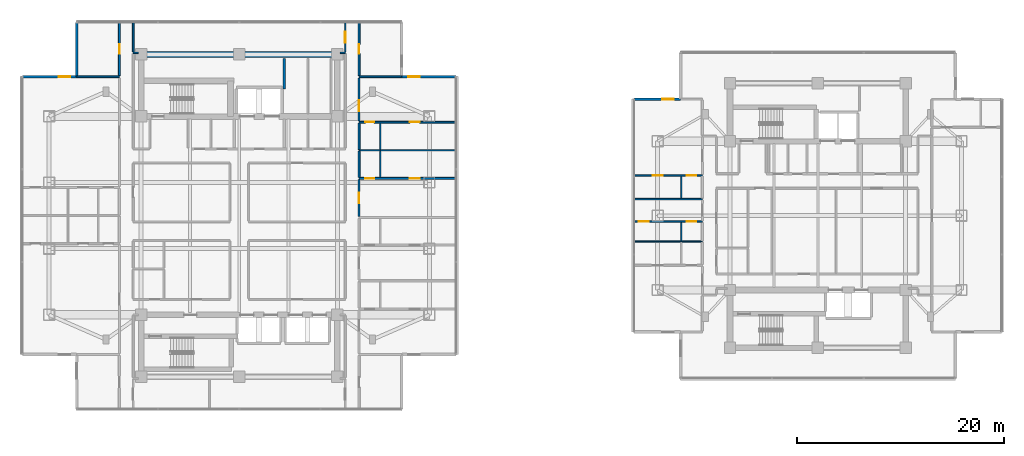
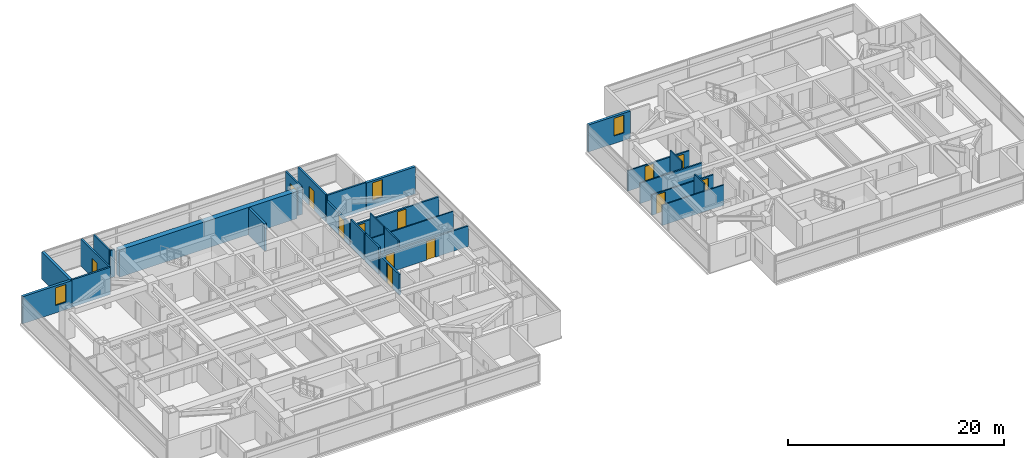
# One storey, part 16 of 25: 29 walls, 13 doors, 3 windows, 16 openings.
"""IFC4 building model written with IfcOpenShell, lengths in metres."""

from ifc_helpers import new_model, si_unit, direction, frame, frame_2d, origin, place, context, subcontext, project, spatial, rectangle, extrude, material, layer, layer_set, type_object, element, fill, save


model = new_model("IFC4")

# Units and contexts
model_context = context("Model", 3, precision=1e-05, world=origin(), true_north=direction((0.0, 1.0)))
body_context = subcontext(model_context, "Body", "Model", "MODEL_VIEW")
ifc_project = project(units=[si_unit("LENGTHUNIT", "METRE"), si_unit("AREAUNIT", "SQUARE_METRE"), si_unit("VOLUMEUNIT", "CUBIC_METRE"), si_unit("PLANEANGLEUNIT", "RADIAN"), si_unit("MASSUNIT", "GRAM", prefix="KILO")], contexts=[model_context])

# Site, building, storey
site_placement = place(None, origin())
site = spatial("IfcSite", under=ifc_project, at=site_placement, CompositionType="ELEMENT")
building_placement = place(site_placement, origin())
building = spatial("IfcBuilding", under=site, at=building_placement, Name="Mirazonda Arch Towers", CompositionType="ELEMENT")
storey_placement = place(building_placement, frame((0.0, 0.0, 131.300048828125)))
storey = spatial("IfcBuildingStorey", under=building, at=storey_placement, Name="L37", CompositionType="ELEMENT", Elevation=131.300048828125)

# Wall
ifc_material_1 = material(Name="Concrete C50/60", Category="concrete")
ifc_layer_1 = layer(ifc_material_1, 0.550048828125, Name="WALL-CORE-550")
ifc_layer_set_1 = layer_set([ifc_layer_1], Name="Concrete C50/60")
wall_type_1 = type_object("IfcWallType", Name="WALL-CORE-550", PredefinedType="SHEAR", material=ifc_layer_set_1)
wall_1_placement = place(storey_placement, frame((11.0, 43.60009765625, 0.0), z_axis=(0.0, 0.0, 1.0), x_axis=(1.0, 0.0, 0.0)))
element("IfcWall", 1, at=wall_1_placement, inside=storey, type_object=wall_type_1, Name="L37 T1N-N Core Shear Wall", PredefinedType="SHEAR", context=body_context, shape_type="SweptSolid", body=[
    extrude(rectangle(XDim=19.0, YDim=0.550048828125, at=frame_2d((9.5, 0.0))), origin(), (0.0, 0.0, 1.0), 3.079833984375),
])

# Wall, opening, window
ifc_material_2 = material(Name="Precast Concrete C40/50", Category="concrete")
ifc_layer_2 = layer(ifc_material_2, 0.280029296875, Name="WALL-EXT-WALL-280")
ifc_layer_set_2 = layer_set([ifc_layer_2], Name="Precast Concrete C40/50")
wall_type_2 = type_object("IfcWallType", Name="WALL-EXT-WALL-280", PredefinedType="SOLIDWALL", material=ifc_layer_set_2)
wall_2_placement = place(storey_placement, frame((4.77001953125, 41.44189453125, 0.0), z_axis=(0.0, 0.0, 1.0), x_axis=(-1.0, 0.0, 0.0)))
wall_2 = element("IfcWall", 2, at=wall_2_placement, inside=storey, type_object=wall_type_2, Name="L37 T1 Corner Notch Return Wall WL-L37-T1-CNW1", PredefinedType="SOLIDWALL", context=body_context, shape_type="SweptSolid", body=[
    extrude(rectangle(XDim=5.27001953125, YDim=0.280029296875, at=frame_2d((2.635009765625, 0.0))), origin(), (0.0, 0.0, 1.0), 3.06005859375),
])
opening_1_placement = place(wall_2_placement, frame((0.64990234375, 0.0, 0.85009765625)))
opening_1 = element("IfcOpeningElement", 3, at=opening_1_placement, cuts=wall_2, Name="Opening WN-108", PredefinedType="OPENING", context=body_context, shape_type="SweptSolid", body=[
    extrude(rectangle(XDim=1.10009765625, YDim=2.0, at=frame_2d((0.550048828125, 1.0))), frame((0.0, 0.14990234375, 0.0), z_axis=(0.0, -1.0, 0.0), x_axis=(1.0, 0.0, 0.0)), (0.0, 0.0, 1.0), 0.300048828125),
])
ifc_material_3 = material(Name="Insulated Low-E Solar Glass", Category="glass")
window_type = type_object("IfcWindowType", Name="WIN-NOTCH-1100x2000", PartitioningType="SINGLE_PANEL", PredefinedType="WINDOW", material=ifc_material_3)
window_1_placement = place(opening_1_placement, origin())
window_1 = element("IfcWindow", 4, at=window_1_placement, inside=storey, type_object=window_type, Name="L37 Punched Facade Window WN-L37-T1-CNW1", OverallHeight=2.0, OverallWidth=1.10009765625, PartitioningType="SINGLE_PANEL", PredefinedType="WINDOW", context=body_context, shape_type="SweptSolid", body=[
    extrude(rectangle(XDim=1.10009765625, YDim=2.0, at=frame_2d((0.550048828125, 1.0))), frame((0.0, 0.030029296875, 0.0), z_axis=(0.0, -1.0, 0.0), x_axis=(1.0, 0.0, 0.0)), (0.0, 0.0, 1.0), 0.06005859375),
])
fill(opening_1, window_1)

# Wall
wall_3_placement = place(storey_placement, frame((4.77001953125, 46.7119140625, 0.0), z_axis=(0.0, 0.0, 1.0), x_axis=(0.0, -1.0, 0.0)))
element("IfcWall", 5, at=wall_3_placement, inside=storey, type_object=wall_type_2, Name="L37 T1 Corner Notch Return Wall WL-L37-T1-CNW2", PredefinedType="SOLIDWALL", context=body_context, shape_type="SweptSolid", body=[
    extrude(rectangle(XDim=5.27001953125, YDim=0.280029296875, at=frame_2d((2.635009765625, 0.0))), origin(), (0.0, 0.0, 1.0), 3.06005859375),
])

# Wall, opening, window
wall_4_placement = place(storey_placement, frame((41.5, 41.44189453125, 0.0), z_axis=(0.0, 0.0, 1.0), x_axis=(-1.0, 0.0, 0.0)))
wall_4 = element("IfcWall", 6, at=wall_4_placement, inside=storey, type_object=wall_type_2, Name="L37 T1 Corner Notch Return Wall WL-L37-T1-CNE2", PredefinedType="SOLIDWALL", context=body_context, shape_type="SweptSolid", body=[
    extrude(rectangle(XDim=5.27001953125, YDim=0.280029296875, at=frame_2d((2.635009765625, 0.0))), origin(), (0.0, 0.0, 1.0), 3.06005859375),
])
opening_2_placement = place(wall_4_placement, frame((3.52001953125, 0.0, 0.85009765625)))
opening_2 = element("IfcOpeningElement", 7, at=opening_2_placement, cuts=wall_4, Name="Opening WN-108", PredefinedType="OPENING", context=body_context, shape_type="SweptSolid", body=[
    extrude(rectangle(XDim=1.10009765625, YDim=2.0, at=frame_2d((0.550048828125, 1.0))), frame((0.0, 0.14990234375, 0.0), z_axis=(0.0, -1.0, 0.0), x_axis=(1.0, 0.0, 0.0)), (0.0, 0.0, 1.0), 0.300048828125),
])
window_2_placement = place(opening_2_placement, origin())
window_2 = element("IfcWindow", 8, at=window_2_placement, inside=storey, type_object=window_type, Name="L37 Punched Facade Window WN-L37-T1-CNE2", OverallHeight=2.0, OverallWidth=1.10009765625, PartitioningType="SINGLE_PANEL", PredefinedType="WINDOW", context=body_context, shape_type="SweptSolid", body=[
    extrude(rectangle(XDim=1.10009765625, YDim=2.0, at=frame_2d((0.550048828125, 1.0))), frame((0.0, 0.030029296875, 0.0), z_axis=(0.0, -1.0, 0.0), x_axis=(1.0, 0.0, 0.0)), (0.0, 0.0, 1.0), 0.06005859375),
])
fill(opening_2, window_2)

wall_5_placement = place(storey_placement, frame((63.189453125, 39.265625, 0.0), z_axis=(0.0, 0.0, 1.0), x_axis=(-1.0, 0.0, 0.0)))
wall_5 = element("IfcWall", 9, at=wall_5_placement, inside=storey, type_object=wall_type_2, Name="L37 T2 Corner Notch Return Wall WL-L37-T2-CNW1", PredefinedType="SOLIDWALL", context=body_context, shape_type="SweptSolid", body=[
    extrude(rectangle(XDim=4.486572265625, YDim=0.280029296875, at=frame_2d((2.2431640625, 0.0))), origin(), (0.0, 0.0, 1.0), 3.06005859375),
])
opening_3_placement = place(wall_5_placement, frame((0.64990234375, 0.0, 0.85009765625)))
opening_3 = element("IfcOpeningElement", 10, at=opening_3_placement, cuts=wall_5, Name="Opening WN-108", PredefinedType="OPENING", context=body_context, shape_type="SweptSolid", body=[
    extrude(rectangle(XDim=1.10009765625, YDim=2.0, at=frame_2d((0.550048828125, 1.0))), frame((0.0, 0.14990234375, 0.0), z_axis=(0.0, -1.0, 0.0), x_axis=(1.0, 0.0, 0.0)), (0.0, 0.0, 1.0), 0.300048828125),
])
window_3_placement = place(opening_3_placement, origin())
window_3 = element("IfcWindow", 11, at=window_3_placement, inside=storey, type_object=window_type, Name="L37 Punched Facade Window WN-L37-T2-CNW1", OverallHeight=2.0, OverallWidth=1.10009765625, PartitioningType="SINGLE_PANEL", PredefinedType="WINDOW", context=body_context, shape_type="SweptSolid", body=[
    extrude(rectangle(XDim=1.10009765625, YDim=2.0, at=frame_2d((0.550048828125, 1.0))), frame((0.0, 0.030029296875, 0.0), z_axis=(0.0, -1.0, 0.0), x_axis=(1.0, 0.0, 0.0)), (0.0, 0.0, 1.0), 0.06005859375),
])
fill(opening_3, window_3)

# Wall
ifc_material_4 = material(Name="Concrete C40/50", Category="concrete")
ifc_layer_3 = layer(ifc_material_4, 0.219970703125, Name="WALL-FFL-220")
ifc_layer_set_3 = layer_set([ifc_layer_3], Name="Concrete C40/50")
wall_type_3 = type_object("IfcWallType", Name="WALL-FFL-220", PredefinedType="SOLIDWALL", material=ifc_layer_set_3)
wall_6_placement = place(storey_placement, frame((24.85009765625, 40.260009765625, 0.0), z_axis=(0.0, 0.0, 1.0), x_axis=(0.0, 1.0, 0.0)))
element("IfcWall", 12, at=wall_6_placement, inside=storey, type_object=wall_type_3, Name="L37 Interior Partition 098", PredefinedType="SOLIDWALL", context=body_context, shape_type="SweptSolid", body=[
    extrude(rectangle(XDim=2.93994140625, YDim=0.219970703125, at=frame_2d((1.469970703125, 0.0))), origin(), (0.0, 0.0, 1.0), 3.079833984375),
])

# Wall, openings, doors
ifc_material_5 = material(Name="Fire-Rated Gypsum Stud Partition")
ifc_layer_4 = layer(ifc_material_5, 0.14990234375, Name="WALL-PART-CORR-150")
ifc_layer_set_4 = layer_set([ifc_layer_4], Name="Fire-Rated Gypsum Stud Partition")
wall_type_4 = type_object("IfcWallType", Name="WALL-PART-CORR-150", PredefinedType="PARTITIONING", material=ifc_layer_set_4)
wall_7_placement = place(storey_placement, frame((58.702880859375, 27.412109375, 0.0), z_axis=(0.0, 0.0, 1.0), x_axis=(1.0, 0.0, 0.0)))
wall_7 = element("IfcWall", 13, at=wall_7_placement, inside=storey, type_object=wall_type_4, Name="L37 Interior Partition 034", PredefinedType="PARTITIONING", context=body_context, shape_type="SweptSolid", body=[
    extrude(rectangle(XDim=6.6171875, YDim=0.14990234375, at=frame_2d((3.30859375, 0.0))), origin(), (0.0, 0.0, 1.0), 2.299072265625),
])
opening_4_placement = place(wall_7_placement, frame((0.4833984375, 0.0, 0.0)))
opening_4 = element("IfcOpeningElement", 14, at=opening_4_placement, cuts=wall_7, Name="Opening DR-104", PredefinedType="OPENING", context=body_context, shape_type="SweptSolid", body=[
    extrude(rectangle(XDim=0.949951171875, YDim=2.14990234375, at=frame_2d((0.47509765625, 1.074951171875))), frame((0.0, 0.0849609375, 0.0), z_axis=(0.0, -1.0, 0.0), x_axis=(1.0, 0.0, 0.0)), (0.0, 0.0, 1.0), 0.169921875),
])
opening_5_placement = place(wall_7_placement, frame((5.126953125, 0.0, 0.0)))
opening_5 = element("IfcOpeningElement", 15, at=opening_5_placement, cuts=wall_7, Name="Opening DR-120", PredefinedType="OPENING", context=body_context, shape_type="SweptSolid", body=[
    extrude(rectangle(XDim=0.89990234375, YDim=2.10009765625, at=frame_2d((0.449951171875, 1.050048828125))), frame((0.0, 0.0849609375, 0.0), z_axis=(0.0, -1.0, 0.0), x_axis=(1.0, 0.0, 0.0)), (0.0, 0.0, 1.0), 0.169921875),
])
ifc_material_6 = material(Name="Architectural Brushed Steel S355", Category="steel")
door_type_1 = type_object("IfcDoorType", Name="DOOR-ROOM-950", OperationType="NOTDEFINED", PredefinedType="DOOR", material=ifc_material_6)
door_1_placement = place(opening_4_placement, origin())
door_1 = element("IfcDoor", 16, at=door_1_placement, inside=storey, type_object=door_type_1, Name="L37 Guestroom Study 2 Door", OperationType="SINGLE_SWING_RIGHT", OverallHeight=2.14990234375, OverallWidth=0.949951171875, PredefinedType="DOOR", context=body_context, shape_type="SweptSolid", body=[
    extrude(rectangle(XDim=0.949951171875, YDim=2.14990234375, at=frame_2d((0.47509765625, 1.074951171875))), frame((0.0, 0.02490234375, 0.0), z_axis=(0.0, -1.0, 0.0), x_axis=(1.0, 0.0, 0.0)), (0.0, 0.0, 1.0), 0.050048828125),
])
fill(opening_4, door_1)
door_type_2 = type_object("IfcDoorType", Name="DOOR-WC-900", OperationType="NOTDEFINED", PredefinedType="DOOR", material=ifc_material_6)
door_2_placement = place(opening_5_placement, origin())
door_2 = element("IfcDoor", 17, at=door_2_placement, inside=storey, type_object=door_type_2, Name="L37 En-Suite Bathroom 2 Door", OperationType="SINGLE_SWING_LEFT", OverallHeight=2.10009765625, OverallWidth=0.89990234375, PredefinedType="DOOR", context=body_context, shape_type="SweptSolid", body=[
    extrude(rectangle(XDim=0.89990234375, YDim=2.10009765625, at=frame_2d((0.449951171875, 1.050048828125))), frame((0.0, 0.02490234375, 0.0), z_axis=(0.0, -1.0, 0.0), x_axis=(1.0, 0.0, 0.0)), (0.0, 0.0, 1.0), 0.050048828125),
])
fill(opening_5, door_2)

# Wall
wall_8_placement = place(storey_placement, frame((58.702880859375, 29.595947265625, 0.0), z_axis=(0.0, 0.0, 1.0), x_axis=(1.0, 0.0, 0.0)))
element("IfcWall", 18, at=wall_8_placement, inside=storey, type_object=wall_type_4, Name="L37 Interior Partition 037", PredefinedType="PARTITIONING", context=body_context, shape_type="SweptSolid", body=[
    extrude(rectangle(XDim=6.6171875, YDim=0.14990234375, at=frame_2d((3.30859375, 0.0))), origin(), (0.0, 0.0, 1.0), 2.299072265625),
])

# Wall, openings, doors
wall_9_placement = place(storey_placement, frame((58.702880859375, 31.89599609375, 0.0), z_axis=(0.0, 0.0, 1.0), x_axis=(1.0, 0.0, 0.0)))
wall_9 = element("IfcWall", 19, at=wall_9_placement, inside=storey, type_object=wall_type_4, Name="L37 Interior Partition 041", PredefinedType="PARTITIONING", context=body_context, shape_type="SweptSolid", body=[
    extrude(rectangle(XDim=6.6171875, YDim=0.14990234375, at=frame_2d((3.30859375, 0.0))), origin(), (0.0, 0.0, 1.0), 2.299072265625),
])
opening_6_placement = place(wall_9_placement, frame((1.83349609375, 0.0, 0.0)))
opening_6 = element("IfcOpeningElement", 20, at=opening_6_placement, cuts=wall_9, Name="Opening DR-104", PredefinedType="OPENING", context=body_context, shape_type="SweptSolid", body=[
    extrude(rectangle(XDim=0.949951171875, YDim=2.14990234375, at=frame_2d((0.47509765625, 1.074951171875))), frame((0.0, 0.0849609375, 0.0), z_axis=(0.0, -1.0, 0.0), x_axis=(1.0, 0.0, 0.0)), (0.0, 0.0, 1.0), 0.169921875),
])
opening_7_placement = place(wall_9_placement, frame((5.126953125, 0.0, 0.0)))
opening_7 = element("IfcOpeningElement", 21, at=opening_7_placement, cuts=wall_9, Name="Opening DR-120", PredefinedType="OPENING", context=body_context, shape_type="SweptSolid", body=[
    extrude(rectangle(XDim=0.89990234375, YDim=2.10009765625, at=frame_2d((0.449951171875, 1.050048828125))), frame((0.0, 0.0849609375, 0.0), z_axis=(0.0, -1.0, 0.0), x_axis=(1.0, 0.0, 0.0)), (0.0, 0.0, 1.0), 0.169921875),
])
door_3_placement = place(opening_6_placement, origin())
door_3 = element("IfcDoor", 22, at=door_3_placement, inside=storey, type_object=door_type_1, Name="L37 Guestroom Study 3 Door", OperationType="SINGLE_SWING_LEFT", OverallHeight=2.14990234375, OverallWidth=0.949951171875, PredefinedType="DOOR", context=body_context, shape_type="SweptSolid", body=[
    extrude(rectangle(XDim=0.949951171875, YDim=2.14990234375, at=frame_2d((0.47509765625, 1.074951171875))), frame((0.0, 0.02490234375, 0.0), z_axis=(0.0, -1.0, 0.0), x_axis=(1.0, 0.0, 0.0)), (0.0, 0.0, 1.0), 0.050048828125),
])
fill(opening_6, door_3)
door_4_placement = place(opening_7_placement, origin())
door_4 = element("IfcDoor", 23, at=door_4_placement, inside=storey, type_object=door_type_2, Name="L37 En-Suite Bathroom 3 Door", OperationType="SINGLE_SWING_RIGHT", OverallHeight=2.10009765625, OverallWidth=0.89990234375, PredefinedType="DOOR", context=body_context, shape_type="SweptSolid", body=[
    extrude(rectangle(XDim=0.89990234375, YDim=2.10009765625, at=frame_2d((0.449951171875, 1.050048828125))), frame((0.0, 0.02490234375, 0.0), z_axis=(0.0, -1.0, 0.0), x_axis=(1.0, 0.0, 0.0)), (0.0, 0.0, 1.0), 0.050048828125),
])
fill(opening_7, door_4)

# Walls
for number, where, z_axis, x_axis, name in (
    (24, (10.239990234375, 43.75, 0.0), (0.0, 0.0, 1.0), (1.0, 0.0, 0.0), "L37 Interior Partition 060"),
    (25, (30.27001953125, 43.75, 0.0), (0.0, 0.0, 1.0), (1.0, 0.0, 0.0), "L37 Interior Partition 061"),
):
    element("IfcWall", number, at=place(storey_placement, frame(where, z_axis=z_axis, x_axis=x_axis)), inside=storey, type_object=wall_type_4, Name=name, PredefinedType="PARTITIONING", context=body_context, shape_type="SweptSolid", body=[
        extrude(rectangle(XDim=0.489990234375, YDim=0.14990234375, at=frame_2d((0.2451171875, 0.0))), origin(), (0.0, 0.0, 1.0), 3.079833984375),
    ])
wall_10_placement = place(storey_placement, frame((10.239990234375, 43.8349609375, 0.0), z_axis=(0.0, 0.0, 1.0), x_axis=(0.0, 1.0, 0.0)))
element("IfcWall", 26, at=wall_10_placement, inside=storey, type_object=wall_type_4, Name="L37 Interior Partition 078", PredefinedType="PARTITIONING", context=body_context, shape_type="SweptSolid", body=[
    extrude(rectangle(XDim=2.876953125, YDim=0.14990234375, at=frame_2d((1.4384765625, 0.0))), origin(), (0.0, 0.0, 1.0), 3.079833984375),
])

# Wall, opening, door
wall_11_placement = place(storey_placement, frame((30.760009765625, 43.8349609375, 0.0), z_axis=(0.0, 0.0, 1.0), x_axis=(0.0, 1.0, 0.0)))
wall_11 = element("IfcWall", 27, at=wall_11_placement, inside=storey, type_object=wall_type_4, Name="L37 Interior Partition 109", PredefinedType="PARTITIONING", context=body_context, shape_type="SweptSolid", body=[
    extrude(rectangle(XDim=2.876953125, YDim=0.14990234375, at=frame_2d((1.4384765625, 0.0))), origin(), (0.0, 0.0, 1.0), 3.079833984375),
])
opening_8_placement = place(wall_11_placement, frame((0.91357421875, 0.0, 0.0)))
opening_8 = element("IfcOpeningElement", 28, at=opening_8_placement, cuts=wall_11, Name="Opening DR-121", PredefinedType="OPENING", context=body_context, shape_type="SweptSolid", body=[
    extrude(rectangle(XDim=1.050048828125, YDim=2.199951171875, at=frame_2d((0.52490234375, 1.10009765625))), frame((0.0, 0.0849609375, 0.0), z_axis=(0.0, -1.0, 0.0), x_axis=(1.0, 0.0, 0.0)), (0.0, 0.0, 1.0), 0.169921875),
])
door_type_3 = type_object("IfcDoorType", Name="DOOR-SUITE-FD60-1050", OperationType="NOTDEFINED", PredefinedType="DOOR", material=ifc_material_6)
door_5_placement = place(opening_8_placement, origin())
door_5 = element("IfcDoor", 29, at=door_5_placement, inside=storey, type_object=door_type_3, Name="L37 North Bay Sunroom Suite Door", OperationType="SINGLE_SWING_RIGHT", OverallHeight=2.199951171875, OverallWidth=1.050048828125, PredefinedType="DOOR", context=body_context, shape_type="SweptSolid", body=[
    extrude(rectangle(XDim=1.050048828125, YDim=2.199951171875, at=frame_2d((0.52490234375, 1.10009765625))), frame((0.0, 0.02490234375, 0.0), z_axis=(0.0, -1.0, 0.0), x_axis=(1.0, 0.0, 0.0)), (0.0, 0.0, 1.0), 0.050048828125),
])
fill(opening_8, door_5)

# Wall, openings, doors
ifc_material_7 = material(Name="Fire-Rated Gypsum Twin-Stud Assembly")
ifc_layer_5 = layer(ifc_material_7, 0.179931640625, Name="WALL-PART-DEMISE-180")
ifc_layer_set_5 = layer_set([ifc_layer_5], Name="Fire-Rated Gypsum Twin-Stud Assembly")
wall_type_5 = type_object("IfcWallType", Name="WALL-PART-DEMISE-180", PredefinedType="PARTITIONING", material=ifc_layer_set_5)
wall_12_placement = place(storey_placement, frame((32.10009765625, 31.59912109375, 0.0), z_axis=(0.0, 0.0, 1.0), x_axis=(1.0, 0.0, 0.0)))
wall_12 = element("IfcWall", 30, at=wall_12_placement, inside=storey, type_object=wall_type_5, Name="L37 Interior Partition 040", PredefinedType="PARTITIONING", context=body_context, shape_type="SweptSolid", body=[
    extrude(rectangle(XDim=9.39990234375, YDim=0.179931640625, at=frame_2d((4.699951171875, 0.0))), origin(), (0.0, 0.0, 1.0), 2.299072265625),
])
opening_9_placement = place(wall_12_placement, frame((4.925048828125, 0.0, 0.0)))
opening_9 = element("IfcOpeningElement", 31, at=opening_9_placement, cuts=wall_12, Name="Opening DR-104", PredefinedType="OPENING", context=body_context, shape_type="SweptSolid", body=[
    extrude(rectangle(XDim=0.949951171875, YDim=2.14990234375, at=frame_2d((0.47509765625, 1.074951171875))), frame((0.0, 0.099853515625, 0.0), z_axis=(0.0, -1.0, 0.0), x_axis=(1.0, 0.0, 0.0)), (0.0, 0.0, 1.0), 0.199951171875),
])
opening_10_placement = place(wall_12_placement, frame((0.590087890625, 0.0, 0.0)))
opening_10 = element("IfcOpeningElement", 32, at=opening_10_placement, cuts=wall_12, Name="Opening DR-120", PredefinedType="OPENING", context=body_context, shape_type="SweptSolid", body=[
    extrude(rectangle(XDim=0.89990234375, YDim=2.10009765625, at=frame_2d((0.449951171875, 1.050048828125))), frame((0.0, 0.099853515625, 0.0), z_axis=(0.0, -1.0, 0.0), x_axis=(1.0, 0.0, 0.0)), (0.0, 0.0, 1.0), 0.199951171875),
])
door_6_placement = place(opening_9_placement, origin())
door_6 = element("IfcDoor", 33, at=door_6_placement, inside=storey, type_object=door_type_1, Name="L37 Studio 3 Galley Kitchen Door", OperationType="SINGLE_SWING_LEFT", OverallHeight=2.14990234375, OverallWidth=0.949951171875, PredefinedType="DOOR", context=body_context, shape_type="SweptSolid", body=[
    extrude(rectangle(XDim=0.949951171875, YDim=2.14990234375, at=frame_2d((0.47509765625, 1.074951171875))), frame((0.0, 0.02490234375, 0.0), z_axis=(0.0, -1.0, 0.0), x_axis=(1.0, 0.0, 0.0)), (0.0, 0.0, 1.0), 0.050048828125),
])
fill(opening_9, door_6)
door_7_placement = place(opening_10_placement, origin())
door_7 = element("IfcDoor", 34, at=door_7_placement, inside=storey, type_object=door_type_2, Name="L37 Studio 3 Bathroom Door", OperationType="SINGLE_SWING_RIGHT", OverallHeight=2.10009765625, OverallWidth=0.89990234375, PredefinedType="DOOR", context=body_context, shape_type="SweptSolid", body=[
    extrude(rectangle(XDim=0.89990234375, YDim=2.10009765625, at=frame_2d((0.449951171875, 1.050048828125))), frame((0.0, 0.02490234375, 0.0), z_axis=(0.0, -1.0, 0.0), x_axis=(1.0, 0.0, 0.0)), (0.0, 0.0, 1.0), 0.050048828125),
])
fill(opening_10, door_7)

wall_13_placement = place(storey_placement, frame((32.10009765625, 37.0390625, 0.0), z_axis=(0.0, 0.0, 1.0), x_axis=(1.0, 0.0, 0.0)))
wall_13 = element("IfcWall", 35, at=wall_13_placement, inside=storey, type_object=wall_type_5, Name="L37 Interior Partition 052", PredefinedType="PARTITIONING", context=body_context, shape_type="SweptSolid", body=[
    extrude(rectangle(XDim=9.39990234375, YDim=0.179931640625, at=frame_2d((4.699951171875, 0.0))), origin(), (0.0, 0.0, 1.0), 2.299072265625),
])
opening_11_placement = place(wall_13_placement, frame((4.925048828125, 0.0, 0.0)))
opening_11 = element("IfcOpeningElement", 36, at=opening_11_placement, cuts=wall_13, Name="Opening DR-104", PredefinedType="OPENING", context=body_context, shape_type="SweptSolid", body=[
    extrude(rectangle(XDim=0.949951171875, YDim=2.14990234375, at=frame_2d((0.47509765625, 1.074951171875))), frame((0.0, 0.099853515625, 0.0), z_axis=(0.0, -1.0, 0.0), x_axis=(1.0, 0.0, 0.0)), (0.0, 0.0, 1.0), 0.199951171875),
])
opening_12_placement = place(wall_13_placement, frame((0.590087890625, 0.0, 0.0)))
opening_12 = element("IfcOpeningElement", 37, at=opening_12_placement, cuts=wall_13, Name="Opening DR-120", PredefinedType="OPENING", context=body_context, shape_type="SweptSolid", body=[
    extrude(rectangle(XDim=0.89990234375, YDim=2.10009765625, at=frame_2d((0.449951171875, 1.050048828125))), frame((0.0, 0.099853515625, 0.0), z_axis=(0.0, -1.0, 0.0), x_axis=(1.0, 0.0, 0.0)), (0.0, 0.0, 1.0), 0.199951171875),
])
door_8_placement = place(opening_11_placement, origin())
door_8 = element("IfcDoor", 38, at=door_8_placement, inside=storey, type_object=door_type_1, Name="L37 Studio 4 Galley Kitchen Door", OperationType="SINGLE_SWING_RIGHT", OverallHeight=2.14990234375, OverallWidth=0.949951171875, PredefinedType="DOOR", context=body_context, shape_type="SweptSolid", body=[
    extrude(rectangle(XDim=0.949951171875, YDim=2.14990234375, at=frame_2d((0.47509765625, 1.074951171875))), frame((0.0, 0.02490234375, 0.0), z_axis=(0.0, -1.0, 0.0), x_axis=(1.0, 0.0, 0.0)), (0.0, 0.0, 1.0), 0.050048828125),
])
fill(opening_11, door_8)
door_9_placement = place(opening_12_placement, origin())
door_9 = element("IfcDoor", 39, at=door_9_placement, inside=storey, type_object=door_type_2, Name="L37 Studio 4 Bathroom Door", OperationType="SINGLE_SWING_LEFT", OverallHeight=2.10009765625, OverallWidth=0.89990234375, PredefinedType="DOOR", context=body_context, shape_type="SweptSolid", body=[
    extrude(rectangle(XDim=0.89990234375, YDim=2.10009765625, at=frame_2d((0.449951171875, 1.050048828125))), frame((0.0, 0.02490234375, 0.0), z_axis=(0.0, -1.0, 0.0), x_axis=(1.0, 0.0, 0.0)), (0.0, 0.0, 1.0), 0.050048828125),
])
fill(opening_12, door_9)

# Walls
for number, where, z_axis, x_axis, name in (
    (40, (4.7900390625, 41.44189453125, 0.0), (0.0, 0.0, 1.0), (1.0, 0.0, 0.0), "L37 Interior Partition 058"),
    (41, (32.10009765625, 41.44189453125, 0.0), (0.0, 0.0, 1.0), (1.0, 0.0, 0.0), "L37 Interior Partition 059"),
):
    element("IfcWall", number, at=place(storey_placement, frame(where, z_axis=z_axis, x_axis=x_axis)), inside=storey, type_object=wall_type_5, Name=name, PredefinedType="PARTITIONING", context=body_context, shape_type="SweptSolid", body=[
        extrude(rectangle(XDim=4.10986328125, YDim=0.179931640625, at=frame_2d((2.054931640625, 0.0))), origin(), (0.0, 0.0, 1.0), 3.079833984375),
    ])

# Wall, opening, door
wall_14_placement = place(storey_placement, frame((8.89990234375, 41.5419921875, 0.0), z_axis=(0.0, 0.0, 1.0), x_axis=(0.0, 1.0, 0.0)))
wall_14 = element("IfcWall", 42, at=wall_14_placement, inside=storey, type_object=wall_type_5, Name="L37 Interior Partition 071", PredefinedType="PARTITIONING", context=body_context, shape_type="SweptSolid", body=[
    extrude(rectangle(XDim=5.169921875, YDim=0.179931640625, at=frame_2d((2.5849609375, 0.0))), origin(), (0.0, 0.0, 1.0), 3.079833984375),
])
opening_13_placement = place(wall_14_placement, frame((2.110107421875, 0.0, 0.0)))
opening_13 = element("IfcOpeningElement", 43, at=opening_13_placement, cuts=wall_14, Name="Opening DR-104", PredefinedType="OPENING", context=body_context, shape_type="SweptSolid", body=[
    extrude(rectangle(XDim=0.949951171875, YDim=2.14990234375, at=frame_2d((0.47509765625, 1.074951171875))), frame((0.0, 0.099853515625, 0.0), z_axis=(0.0, -1.0, 0.0), x_axis=(1.0, 0.0, 0.0)), (0.0, 0.0, 1.0), 0.199951171875),
])
door_10_placement = place(opening_13_placement, origin())
door_10 = element("IfcDoor", 44, at=door_10_placement, inside=storey, type_object=door_type_1, Name="L37 North Bay Sunroom Alcove West Door", OperationType="SINGLE_SWING_LEFT", OverallHeight=2.14990234375, OverallWidth=0.949951171875, PredefinedType="DOOR", context=body_context, shape_type="SweptSolid", body=[
    extrude(rectangle(XDim=0.949951171875, YDim=2.14990234375, at=frame_2d((0.47509765625, 1.074951171875))), frame((0.0, 0.02490234375, 0.0), z_axis=(0.0, -1.0, 0.0), x_axis=(1.0, 0.0, 0.0)), (0.0, 0.0, 1.0), 0.050048828125),
])
fill(opening_13, door_10)

wall_15_placement = place(storey_placement, frame((32.10009765625, 27.9140625, 0.0), z_axis=(0.0, 0.0, 1.0), x_axis=(0.0, 1.0, 0.0)))
wall_15 = element("IfcWall", 45, at=wall_15_placement, inside=storey, type_object=wall_type_5, Name="L37 Interior Partition 115", PredefinedType="PARTITIONING", context=body_context, shape_type="SweptSolid", body=[
    extrude(rectangle(XDim=3.5849609375, YDim=0.179931640625, at=frame_2d((1.79248046875, 0.0))), origin(), (0.0, 0.0, 1.0), 2.299072265625),
])
opening_14_placement = place(wall_15_placement, frame((1.267578125, 0.0, 0.0)))
opening_14 = element("IfcOpeningElement", 46, at=opening_14_placement, cuts=wall_15, Name="Opening DR-121", PredefinedType="OPENING", context=body_context, shape_type="SweptSolid", body=[
    extrude(rectangle(XDim=1.050048828125, YDim=2.199951171875, at=frame_2d((0.52490234375, 1.10009765625))), frame((0.0, 0.099853515625, 0.0), z_axis=(0.0, -1.0, 0.0), x_axis=(1.0, 0.0, 0.0)), (0.0, 0.0, 1.0), 0.199951171875),
])
door_11_placement = place(opening_14_placement, origin())
door_11 = element("IfcDoor", 47, at=door_11_placement, inside=storey, type_object=door_type_3, Name="L37 Studio Apartment 3 Living Salon Door", OperationType="SINGLE_SWING_RIGHT", OverallHeight=2.199951171875, OverallWidth=1.050048828125, PredefinedType="DOOR", context=body_context, shape_type="SweptSolid", body=[
    extrude(rectangle(XDim=1.050048828125, YDim=2.199951171875, at=frame_2d((0.52490234375, 1.10009765625))), frame((0.0, 0.02490234375, 0.0), z_axis=(0.0, -1.0, 0.0), x_axis=(1.0, 0.0, 0.0)), (0.0, 0.0, 1.0), 0.050048828125),
])
fill(opening_14, door_11)

# Walls
wall_16_placement = place(storey_placement, frame((32.10009765625, 31.698974609375, 0.0), z_axis=(0.0, 0.0, 1.0), x_axis=(0.0, 1.0, 0.0)))
element("IfcWall", 48, at=wall_16_placement, inside=storey, type_object=wall_type_5, Name="L37 Interior Partition 116", PredefinedType="PARTITIONING", context=body_context, shape_type="SweptSolid", body=[
    extrude(rectangle(XDim=2.547607421875, YDim=0.179931640625, at=frame_2d((1.27392578125, 0.0))), origin(), (0.0, 0.0, 1.0), 3.079833984375),
])
wall_17_placement = place(storey_placement, frame((32.10009765625, 34.3916015625, 0.0), z_axis=(0.0, 0.0, 1.0), x_axis=(0.0, 1.0, 0.0)))
element("IfcWall", 49, at=wall_17_placement, inside=storey, type_object=wall_type_5, Name="L37 Interior Partition 117", PredefinedType="PARTITIONING", context=body_context, shape_type="SweptSolid", body=[
    extrude(rectangle(XDim=2.54736328125, YDim=0.179931640625, at=frame_2d((1.273681640625, 0.0))), origin(), (0.0, 0.0, 1.0), 3.079833984375),
])

# Wall, opening, door
wall_18_placement = place(storey_placement, frame((32.10009765625, 37.138916015625, 0.0), z_axis=(0.0, 0.0, 1.0), x_axis=(0.0, 1.0, 0.0)))
wall_18 = element("IfcWall", 50, at=wall_18_placement, inside=storey, type_object=wall_type_5, Name="L37 Interior Partition 118", PredefinedType="PARTITIONING", context=body_context, shape_type="SweptSolid", body=[
    extrude(rectangle(XDim=4.203125, YDim=0.179931640625, at=frame_2d((2.1015625, 0.0))), origin(), (0.0, 0.0, 1.0), 2.4560546875),
])
opening_15_placement = place(wall_18_placement, frame((0.9765625, 0.0, 0.0)))
opening_15 = element("IfcOpeningElement", 51, at=opening_15_placement, cuts=wall_18, Name="Opening DR-121", PredefinedType="OPENING", context=body_context, shape_type="SweptSolid", body=[
    extrude(rectangle(XDim=1.050048828125, YDim=2.199951171875, at=frame_2d((0.52490234375, 1.10009765625))), frame((0.0, 0.099853515625, 0.0), z_axis=(0.0, -1.0, 0.0), x_axis=(1.0, 0.0, 0.0)), (0.0, 0.0, 1.0), 0.199951171875),
])
door_12_placement = place(opening_15_placement, origin())
door_12 = element("IfcDoor", 52, at=door_12_placement, inside=storey, type_object=door_type_3, Name="L37 Studio Apartment 4 Living Salon Door", OperationType="SINGLE_SWING_LEFT", OverallHeight=2.199951171875, OverallWidth=1.050048828125, PredefinedType="DOOR", context=body_context, shape_type="SweptSolid", body=[
    extrude(rectangle(XDim=1.050048828125, YDim=2.199951171875, at=frame_2d((0.52490234375, 1.10009765625))), frame((0.0, 0.02490234375, 0.0), z_axis=(0.0, -1.0, 0.0), x_axis=(1.0, 0.0, 0.0)), (0.0, 0.0, 1.0), 0.050048828125),
])
fill(opening_15, door_12)

wall_19_placement = place(storey_placement, frame((32.10009765625, 41.5419921875, 0.0), z_axis=(0.0, 0.0, 1.0), x_axis=(0.0, 1.0, 0.0)))
wall_19 = element("IfcWall", 53, at=wall_19_placement, inside=storey, type_object=wall_type_5, Name="L37 Interior Partition 119", PredefinedType="PARTITIONING", context=body_context, shape_type="SweptSolid", body=[
    extrude(rectangle(XDim=5.169921875, YDim=0.179931640625, at=frame_2d((2.5849609375, 0.0))), origin(), (0.0, 0.0, 1.0), 3.079833984375),
])
opening_16_placement = place(wall_19_placement, frame((2.110107421875, 0.0, 0.0)))
opening_16 = element("IfcOpeningElement", 54, at=opening_16_placement, cuts=wall_19, Name="Opening DR-104", PredefinedType="OPENING", context=body_context, shape_type="SweptSolid", body=[
    extrude(rectangle(XDim=0.949951171875, YDim=2.14990234375, at=frame_2d((0.47509765625, 1.074951171875))), frame((0.0, 0.099853515625, 0.0), z_axis=(0.0, -1.0, 0.0), x_axis=(1.0, 0.0, 0.0)), (0.0, 0.0, 1.0), 0.199951171875),
])
door_13_placement = place(opening_16_placement, origin())
door_13 = element("IfcDoor", 55, at=door_13_placement, inside=storey, type_object=door_type_1, Name="L37 North Bay Sunroom Alcove East Door", OperationType="SINGLE_SWING_RIGHT", OverallHeight=2.14990234375, OverallWidth=0.949951171875, PredefinedType="DOOR", context=body_context, shape_type="SweptSolid", body=[
    extrude(rectangle(XDim=0.949951171875, YDim=2.14990234375, at=frame_2d((0.47509765625, 1.074951171875))), frame((0.0, 0.02490234375, 0.0), z_axis=(0.0, -1.0, 0.0), x_axis=(1.0, 0.0, 0.0)), (0.0, 0.0, 1.0), 0.050048828125),
])
fill(opening_16, door_13)

# Walls
ifc_material_8 = material(Name="Acoustic Fire-Rated Gypsum Partition")
ifc_layer_6 = layer(ifc_material_8, 0.125, Name="WALL-PART-UNIT-125")
ifc_layer_set_6 = layer_set([ifc_layer_6], Name="Acoustic Fire-Rated Gypsum Partition")
wall_type_6 = type_object("IfcWallType", Name="WALL-PART-UNIT-125", PredefinedType="PARTITIONING", material=ifc_layer_set_6)
wall_20_placement = place(storey_placement, frame((58.702880859375, 25.491943359375, 0.0), z_axis=(0.0, 0.0, 1.0), x_axis=(1.0, 0.0, 0.0)))
element("IfcWall", 56, at=wall_20_placement, inside=storey, type_object=wall_type_6, Name="L37 Interior Partition 031", PredefinedType="PARTITIONING", context=body_context, shape_type="SweptSolid", body=[
    extrude(rectangle(XDim=6.6171875, YDim=0.125, at=frame_2d((3.30859375, 0.0))), origin(), (0.0, 0.0, 1.0), 2.299072265625),
])
wall_21_placement = place(storey_placement, frame((32.10009765625, 34.319091796875, 0.0), z_axis=(0.0, 0.0, 1.0), x_axis=(1.0, 0.0, 0.0)))
element("IfcWall", 57, at=wall_21_placement, inside=storey, type_object=wall_type_6, Name="L37 Interior Partition 046", PredefinedType="PARTITIONING", context=body_context, shape_type="SweptSolid", body=[
    extrude(rectangle(XDim=9.39990234375, YDim=0.125, at=frame_2d((4.699951171875, 0.0))), origin(), (0.0, 0.0, 1.0), 2.299072265625),
])
wall_22_placement = place(storey_placement, frame((34.139892578125, 31.698974609375, 0.0), z_axis=(0.0, 0.0, 1.0), x_axis=(0.0, 1.0, 0.0)))
element("IfcWall", 58, at=wall_22_placement, inside=storey, type_object=wall_type_6, Name="L37 Interior Partition 122", PredefinedType="PARTITIONING", context=body_context, shape_type="SweptSolid", body=[
    extrude(rectangle(XDim=2.547607421875, YDim=0.125, at=frame_2d((1.27392578125, 0.0))), origin(), (0.0, 0.0, 1.0), 3.079833984375),
])
wall_23_placement = place(storey_placement, frame((34.139892578125, 34.3916015625, 0.0), z_axis=(0.0, 0.0, 1.0), x_axis=(0.0, 1.0, 0.0)))
element("IfcWall", 59, at=wall_23_placement, inside=storey, type_object=wall_type_6, Name="L37 Interior Partition 123", PredefinedType="PARTITIONING", context=body_context, shape_type="SweptSolid", body=[
    extrude(rectangle(XDim=2.54736328125, YDim=0.125, at=frame_2d((1.273681640625, 0.0))), origin(), (0.0, 0.0, 1.0), 3.079833984375),
])
wall_24_placement = place(storey_placement, frame((63.280029296875, 25.564453125, 0.0), z_axis=(0.0, 0.0, 1.0), x_axis=(0.0, 1.0, 0.0)))
element("IfcWall", 60, at=wall_24_placement, inside=storey, type_object=wall_type_6, Name="L37 Interior Partition 125", PredefinedType="PARTITIONING", context=body_context, shape_type="SweptSolid", body=[
    extrude(rectangle(XDim=1.762451171875, YDim=0.125, at=frame_2d((0.88134765625, 0.0))), origin(), (0.0, 0.0, 1.0), 3.079833984375),
])
wall_25_placement = place(storey_placement, frame((63.280029296875, 29.680908203125, 0.0), z_axis=(0.0, 0.0, 1.0), x_axis=(0.0, 1.0, 0.0)))
element("IfcWall", 61, at=wall_25_placement, inside=storey, type_object=wall_type_6, Name="L37 Interior Partition 126", PredefinedType="PARTITIONING", context=body_context, shape_type="SweptSolid", body=[
    extrude(rectangle(XDim=2.130126953125, YDim=0.125, at=frame_2d((1.06494140625, 0.0))), origin(), (0.0, 0.0, 1.0), 3.079833984375),
])

save(model, "model.ifc")
